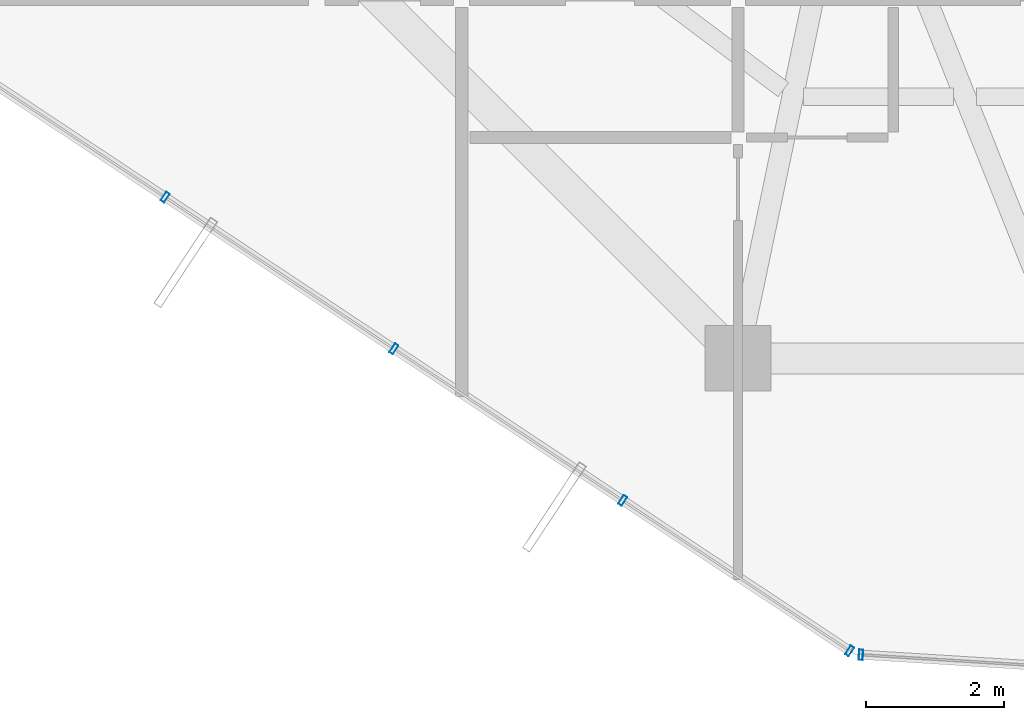
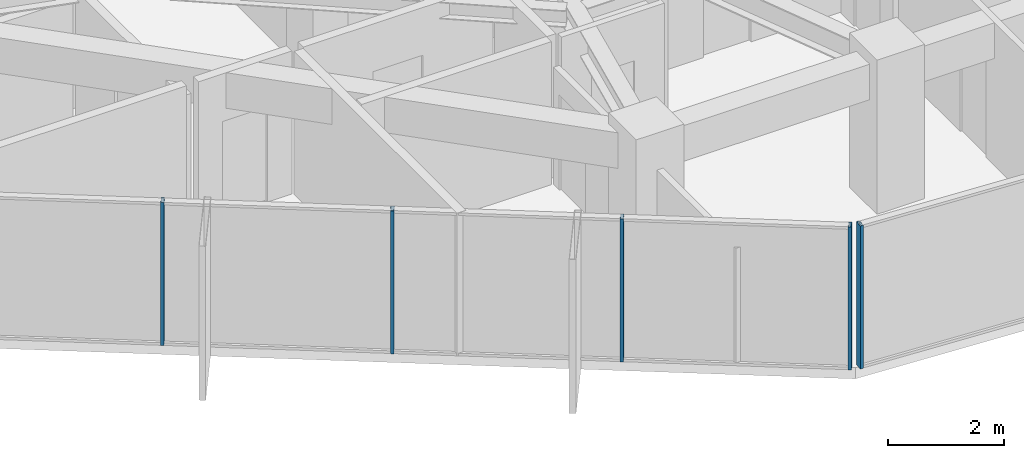
# One storey, part 2 of 29: 5 members, 2 elements without a shape of their own.
"""IFC4 building model written with IfcOpenShell, lengths in metres."""

from ifc_helpers import new_model, si_unit, direction, frame, origin, origin_2d, place, context, subcontext, project, spatial, hollow_rectangle, extrude, source, transform, mapped, material, layer, layer_set, material_profile, profile_set, type_object, element, aggregate, save


model = new_model("IFC4")

# Units and contexts
model_context = context("Model", 3, precision=1e-05, world=origin(), true_north=direction((0.0, 1.0)))
body_context = subcontext(model_context, "Body", "Model", "MODEL_VIEW")
ifc_project = project(units=[si_unit("LENGTHUNIT", "METRE"), si_unit("AREAUNIT", "SQUARE_METRE"), si_unit("VOLUMEUNIT", "CUBIC_METRE"), si_unit("PLANEANGLEUNIT", "RADIAN"), si_unit("MASSUNIT", "GRAM", prefix="KILO")], contexts=[model_context])

# Site, building, storey
site_placement = place(None, origin())
site = spatial("IfcSite", under=ifc_project, at=site_placement, CompositionType="ELEMENT")
building_placement = place(site_placement, origin())
building = spatial("IfcBuilding", under=site, at=building_placement, Name="Veraguas Prism Commons", CompositionType="ELEMENT")
storey_placement = place(building_placement, frame((0.0, 0.0, 218.89990234375)))
storey = spatial("IfcBuildingStorey", under=building, at=storey_placement, Name="L62", CompositionType="ELEMENT", Elevation=218.89990234375)

# Curtain wall, members
ifc_material = material(Name="Anodised aluminium EN AW-6063 T6", Category="aluminium")
ifc_layer = layer(ifc_material, 0.14990234375, Name="Unitised Flush Curtain Wall Zone 3", Category="aluminium")
ifc_layer_set = layer_set([ifc_layer], Name="Anodised aluminium EN AW-6063 T6")
curtain_wall_type = type_object("IfcCurtainWallType", Name="Unitised Flush Curtain Wall Zone 3", PredefinedType="NOTDEFINED", material=ifc_layer_set)
curtain_wall_1_placement = place(storey_placement, origin())
curtain_wall_1 = element("IfcCurtainWall", 1, at=curtain_wall_1_placement, inside=storey, type_object=curtain_wall_type, Name="Tower Facade Curtain Wall L62-F4", PredefinedType="NOTDEFINED")
ifc_material_profile = material_profile(ifc_material, hollow_rectangle(XDim=0.06005859375, YDim=0.14990234375, WallThickness=0.0029296875, at=origin_2d()), Name="AL60X150X3")
ifc_profile_set = profile_set([ifc_material_profile], Name="Anodised aluminium EN AW-6063 T6")
member_type = type_object("IfcMemberType", Name="Curtain Wall Mullion Upper AL 60x150x3", PredefinedType="MULLION", material=ifc_profile_set)
shared_shape = source(origin(), body_context, "Body", "SweptSolid", [
    extrude(hollow_rectangle(XDim=0.06005859375, YDim=0.14990234375, WallThickness=0.0029296875, at=origin_2d()), origin(), (0.0, 0.0, 1.0), 3.01513671875),
])
member_1_placement = place(storey_placement, frame((10.901123046875, 11.43505859375, 0.0), z_axis=(0.0, 0.0, 1.0), x_axis=(0.833503187151, -0.552514648683, 0.0)))
member_1 = element("IfcMember", 2, at=member_1_placement, type_object=member_type, Name="CW-Z3 Mullion 2", PredefinedType="MULLION", context=body_context, shape_type="MappedRepresentation", body=[
    mapped(shared_shape, transform((0.0, 0.0, 0.0), scale=1.0)),
])
member_2_placement = place(storey_placement, frame((14.21484375, 9.238525390625, 0.0), z_axis=(0.0, 0.0, 1.0), x_axis=(0.833503187151, -0.552514648683, 0.0)))
member_2 = element("IfcMember", 3, at=member_2_placement, type_object=member_type, Name="CW-Z3 Mullion 3", PredefinedType="MULLION", context=body_context, shape_type="MappedRepresentation", body=[
    mapped(shared_shape, transform((0.0, 0.0, 0.0), scale=1.0)),
])
member_3_placement = place(storey_placement, frame((17.5283203125, 7.0419921875, 0.0), z_axis=(0.0, 0.0, 1.0), x_axis=(0.833503187151, -0.552514648683, 0.0)))
member_3 = element("IfcMember", 4, at=member_3_placement, type_object=member_type, Name="CW-Z3 Mullion 4", PredefinedType="MULLION", context=body_context, shape_type="MappedRepresentation", body=[
    mapped(shared_shape, transform((0.0, 0.0, 0.0), scale=1.0)),
])
member_4_placement = place(storey_placement, frame((20.817138671875, 4.862060546875, 0.0), z_axis=(0.0, 0.0, 1.0), x_axis=(0.833503187151, -0.552514648683, 0.0)))
member_4 = element("IfcMember", 5, at=member_4_placement, type_object=member_type, Name="CW-Z3 Mullion 5", PredefinedType="MULLION", context=body_context, shape_type="MappedRepresentation", body=[
    mapped(shared_shape, transform((0.0, 0.0, 0.0), scale=1.0)),
])
aggregate(curtain_wall_1, [member_1, member_2, member_3, member_4])

# Curtain wall, member
curtain_wall_2_placement = place(storey_placement, origin())
curtain_wall_2 = element("IfcCurtainWall", 6, at=curtain_wall_2_placement, inside=storey, type_object=curtain_wall_type, Name="Chamfer Curtain Wall L62-C5", PredefinedType="NOTDEFINED")
member_5_placement = place(storey_placement, frame((20.98193359375, 4.806640625, 0.0), z_axis=(0.0, 0.0, 1.0), x_axis=(0.99809107304, -0.061759290132, 0.0)))
member_5 = element("IfcMember", 7, at=member_5_placement, type_object=member_type, Name="CW-Z3 Mullion 1", PredefinedType="MULLION", context=body_context, shape_type="MappedRepresentation", body=[
    mapped(shared_shape, transform((0.0, 0.0, 0.0), scale=1.0)),
])
aggregate(curtain_wall_2, [member_5])

save(model, "model.ifc")
